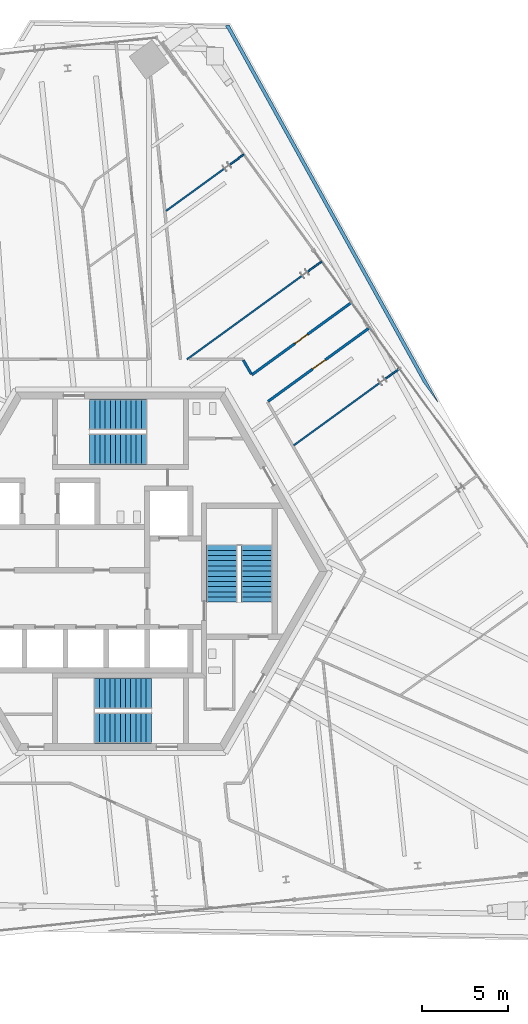
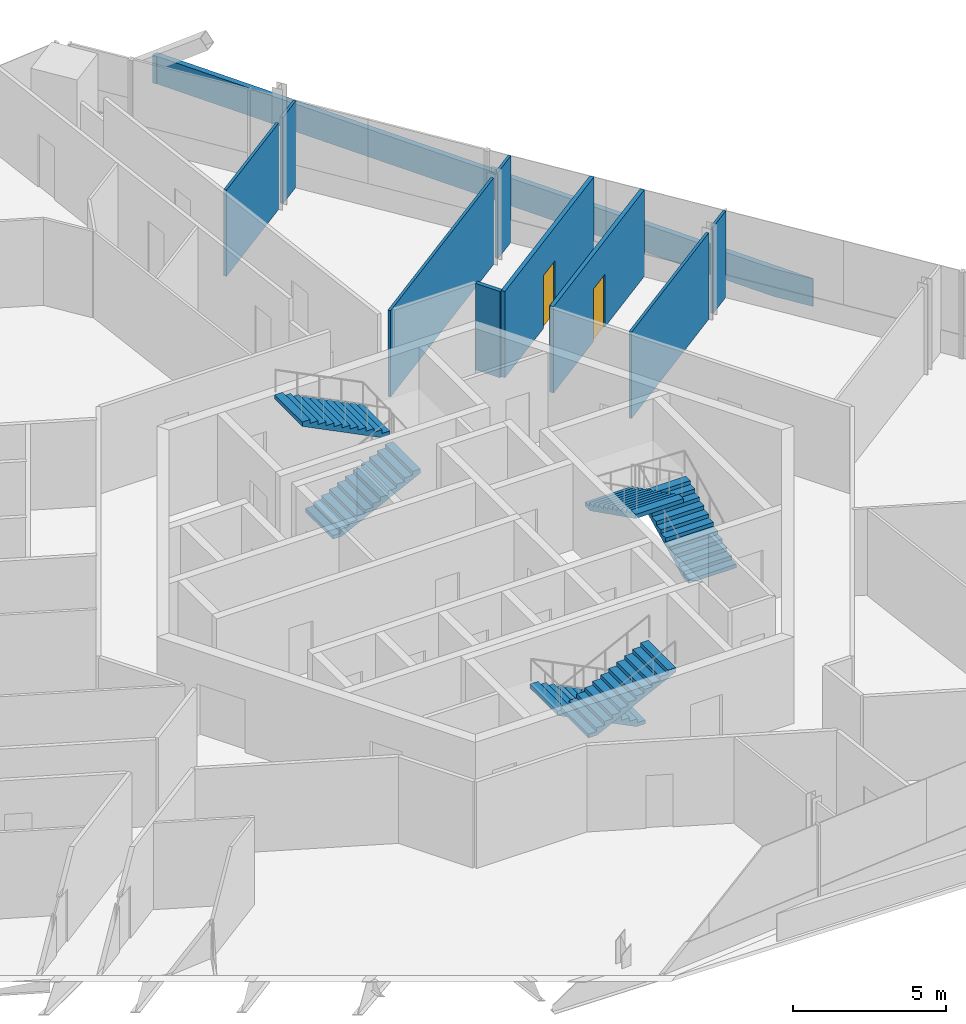
# One storey, part 17 of 21: 10 walls, 6 stair flights, 2 doors, 2 openings, 3 elements without a shape of their own.
"""IFC4 building model written with IfcOpenShell, lengths in metres."""

import ifcopenshell
import ifcopenshell.guid

model = None  # the IFC model being written
_history = None  # IfcOwnerHistory: only IFC2X3 demands one
_inside = {}  # id of a spatial element -> (the spatial element, [elements in it])
_under = {}  # id of a project, library or spatial element -> (it, [spatial elements below it])
_declared = {}  # id of a project -> (the project, [libraries it declares])
_typed = {}  # id of a type object -> (the type object, [elements of that type])
_made_of = {}  # id of a material, layer set ... -> (it, [elements and type objects made of it])


def new_model(schema):
    """Start an empty IFC model of exactly this schema.

    Asked for "IFC4X3", IfcOpenShell would pick the latest addendum, in which some entities
    have other attributes; the version numbers below select the first issue.
    IFC2X3 requires an IfcOwnerHistory on every rooted entity: one is made here for all.
    """
    global model, _history
    if schema == "IFC4X3":
        model = ifcopenshell.file(schema_version=(4, 3, 0, 0))
    else:
        model = ifcopenshell.file(schema=schema)
    _inside.clear()
    _under.clear()
    _declared.clear()
    _typed.clear()
    _made_of.clear()
    _history = None
    if model.schema == "IFC2X3":
        org = make("IfcOrganization", Name="unknown")
        user = make(
            "IfcPersonAndOrganization",
            ThePerson=make("IfcPerson", FamilyName="unknown"),
            TheOrganization=org,
        )
        app = make(
            "IfcApplication",
            ApplicationDeveloper=org,
            Version="unknown",
            ApplicationFullName="unknown",
            ApplicationIdentifier="unknown",
        )
        _history = make(
            "IfcOwnerHistory",
            OwningUser=user,
            OwningApplication=app,
            ChangeAction="ADDED",
            CreationDate=0,
        )
    return model


def make(cls, **values):
    """One entity of the class cls with the attributes given. An attribute that is None is left unset."""
    return model.create_entity(
        cls, **{name: value for name, value in values.items() if value is not None}
    )


def rooted(cls, **values):
    """An entity with a GlobalId (a new one), such as an element, a storey or a relation."""
    return make(cls, GlobalId=ifcopenshell.guid.new(), OwnerHistory=_history, **values)


def si_unit(unit_type, name, prefix=None):
    """IfcSIUnit, for example si_unit("LENGTHUNIT", "METRE", prefix="MILLI")."""
    return make("IfcSIUnit", UnitType=unit_type, Prefix=prefix, Name=name)


def assignment(units):
    """IfcUnitAssignment: the units of a project."""
    return None if units is None else make("IfcUnitAssignment", Units=units)


def point(xyz):
    """IfcCartesianPoint."""
    return None if xyz is None else make("IfcCartesianPoint", Coordinates=xyz)


def direction(xyz):
    """IfcDirection."""
    return None if xyz is None else make("IfcDirection", DirectionRatios=xyz)


def frame(location, z_axis=None, x_axis=None):
    """IfcAxis2Placement3D, a coordinate frame: its origin and axes. An axis left out is left unset."""
    return make(
        "IfcAxis2Placement3D",
        Location=point(location),
        Axis=direction(z_axis),
        RefDirection=direction(x_axis),
    )


def frame_2d(location, x_axis=None):
    """IfcAxis2Placement2D, a coordinate frame in the plane: its origin and x axis."""
    return make(
        "IfcAxis2Placement2D", Location=point(location), RefDirection=direction(x_axis)
    )


def origin():
    """The frame at (0, 0, 0) with its axes left unset."""
    return frame((0.0, 0.0, 0.0))


def place(relative_to, where):
    """IfcLocalPlacement: puts the frame where relative to a parent placement (None: the world)."""
    return make(
        "IfcLocalPlacement", PlacementRelTo=relative_to, RelativePlacement=where
    )


def context(
    kind, dimensions, precision=None, world=None, true_north=None, identifier=None
):
    """IfcGeometricRepresentationContext, for example the 3D "Model" context."""
    return make(
        "IfcGeometricRepresentationContext",
        ContextIdentifier=identifier,
        ContextType=kind,
        CoordinateSpaceDimension=dimensions,
        Precision=precision,
        WorldCoordinateSystem=world,
        TrueNorth=true_north,
    )


def subcontext(parent, identifier, kind, view, scale=None):
    """IfcGeometricRepresentationSubContext, for example "Body" below "Model"."""
    return make(
        "IfcGeometricRepresentationSubContext",
        ContextIdentifier=identifier,
        ContextType=kind,
        ParentContext=parent,
        TargetScale=scale,
        TargetView=view,
    )


def project(units=None, contexts=None):
    """IfcProject with its units and contexts."""
    return rooted(
        "IfcProject",
        Name="project",
        RepresentationContexts=contexts,
        UnitsInContext=assignment(units),
    )


def spatial(cls, under=None, at=None, **own):
    """A site, building, storey or space (cls), placed at a placement, below another one or the project."""
    s = rooted(cls, ObjectPlacement=at, **own)
    if under is not None:
        _under.setdefault(under.id(), (under, []))[1].append(s)
    return s


def polyline(points):
    """IfcPolyline through the points."""
    return make("IfcPolyline", Points=[point(p) for p in points])


def profile(cls, at=None, kind="AREA", **sizes):
    """A parametric profile (cls). Its sizes go by their IFC names, for example OverallWidth=200.0."""
    return make(cls, ProfileType=kind, Position=at, **sizes)


def rectangle(**sizes):
    """IfcRectangleProfileDef."""
    return profile("IfcRectangleProfileDef", **sizes)


def outline(outer, holes=None, kind="AREA"):
    """IfcArbitraryClosedProfileDef: a profile drawn as a closed curve; with holes, ...WithVoids."""
    if holes is None:
        return make("IfcArbitraryClosedProfileDef", ProfileType=kind, OuterCurve=outer)
    return make(
        "IfcArbitraryProfileDefWithVoids",
        ProfileType=kind,
        OuterCurve=outer,
        InnerCurves=holes,
    )


def extrude(swept, where, along, depth):
    """IfcExtrudedAreaSolid: the profile swept, set in the frame where, extruded along a direction by depth."""
    return make(
        "IfcExtrudedAreaSolid",
        SweptArea=swept,
        Position=where,
        ExtrudedDirection=direction(along),
        Depth=depth,
    )


def shape(context_of_items, identifier, shape_type, items):
    """IfcShapeRepresentation: the items that make up one representation, for example the "Body"."""
    return make(
        "IfcShapeRepresentation",
        ContextOfItems=context_of_items,
        RepresentationIdentifier=identifier,
        RepresentationType=shape_type,
        Items=items,
    )


def source(mapping_origin, context_of_items, identifier, shape_type, items):
    """IfcRepresentationMap: a shape defined once, which mapped items show again and again."""
    return make(
        "IfcRepresentationMap",
        MappingOrigin=mapping_origin,
        MappedRepresentation=shape(context_of_items, identifier, shape_type, items),
    )


def transform(
    local_origin,
    x_axis=None,
    y_axis=None,
    z_axis=None,
    scale=None,
    scale2=None,
    scale3=None,
    uniform=True,
):
    """IfcCartesianTransformationOperator3D, or its non-uniform kind. x_axis, y_axis, z_axis: its Axis1, 2, 3."""
    if uniform:
        return make(
            "IfcCartesianTransformationOperator3D",
            Axis1=direction(x_axis),
            Axis2=direction(y_axis),
            LocalOrigin=point(local_origin),
            Scale=scale,
            Axis3=direction(z_axis),
        )
    return make(
        "IfcCartesianTransformationOperator3DnonUniform",
        Axis1=direction(x_axis),
        Axis2=direction(y_axis),
        LocalOrigin=point(local_origin),
        Scale=scale,
        Axis3=direction(z_axis),
        Scale2=scale2,
        Scale3=scale3,
    )


def mapped(mapping_source, mapping_target):
    """IfcMappedItem: shows the shape of a source again, moved by a transform."""
    return make(
        "IfcMappedItem", MappingSource=mapping_source, MappingTarget=mapping_target
    )


def material(Name=None, Category=None):
    """IfcMaterial."""
    return make("IfcMaterial", Name=Name, Category=Category)


def layer(
    of_material, thickness, ventilated=None, Name=None, Category=None, Priority=None
):
    """IfcMaterialLayer: one layer of a wall or slab, of a material (None: an air gap)."""
    return make(
        "IfcMaterialLayer",
        Material=of_material,
        LayerThickness=thickness,
        IsVentilated=ventilated,
        Name=Name,
        Category=Category,
        Priority=Priority,
    )


def layer_set(layers, Name=None):
    """IfcMaterialLayerSet."""
    return make("IfcMaterialLayerSet", MaterialLayers=layers, LayerSetName=Name)


def made_of(thing, what):
    """Note that an element or type object is made of a material, layer set ...; save() writes the relation."""
    if what is not None:
        _made_of.setdefault(what.id(), (what, []))[1].append(thing)
    return thing


def type_object(cls, material=None, **own):
    """A type object (cls), such as IfcWallType, which elements share."""
    return made_of(rooted(cls, **own), material)


def element(
    cls,
    number,
    at=None,
    inside=None,
    cuts=None,
    type_object=None,
    material=None,
    context=None,
    identifier="Body",
    shape_type=None,
    held_by="IfcProductDefinitionShape",
    body=None,
    shapes=None,
    **own,
):
    """One element of the class cls, such as IfcWall. Its Tag is "e" and its number.

    at: its placement. inside: the storey or other place that contains it. cuts: it is an
    opening in that element (IfcRelVoidsElement). A single representation is given by context,
    identifier, shape_type and body (its items); several are given by shapes. held_by: the class
    of the entity that holds the representations. save() writes the other relations.
    """
    e = rooted(cls, Tag="e%d" % number, ObjectPlacement=at, **own)
    if body is not None:
        shapes = [shape(context, identifier, shape_type, body)]
    if shapes is not None:
        e.Representation = make(held_by, Representations=shapes)
    if inside is not None:
        _inside.setdefault(inside.id(), (inside, []))[1].append(e)
    if cuts is not None:
        rooted(
            "IfcRelVoidsElement", RelatingBuildingElement=cuts, RelatedOpeningElement=e
        )
    if type_object is not None:
        _typed.setdefault(type_object.id(), (type_object, []))[1].append(e)
    return made_of(e, material)


def fill(opening, filler):
    """IfcRelFillsElement: the door or window that sits in an opening."""
    return rooted(
        "IfcRelFillsElement",
        RelatingOpeningElement=opening,
        RelatedBuildingElement=filler,
    )


def aggregate(whole, parts):
    """IfcRelAggregates: a whole, such as a stair, and the parts it consists of."""
    return rooted("IfcRelAggregates", RelatingObject=whole, RelatedObjects=parts)


def save(model, path):
    """Write the relations noted so far, then the file.

    IfcRelAggregates (storeys below a building ...), IfcRelContainedInSpatialStructure (elements
    in a storey), IfcRelDefinesByType, IfcRelAssociatesMaterial and IfcRelDeclares: one each for
    every whole, place, type object, material and project.
    """
    for whole, parts in _under.values():
        aggregate(whole, parts)
    for where, things in _inside.values():
        rooted(
            "IfcRelContainedInSpatialStructure",
            RelatedElements=things,
            RelatingStructure=where,
        )
    for kind, things in _typed.values():
        rooted("IfcRelDefinesByType", RelatedObjects=things, RelatingType=kind)
    for what, things in _made_of.values():
        rooted("IfcRelAssociatesMaterial", RelatedObjects=things, RelatingMaterial=what)
    for by, libraries in _declared.values():
        rooted("IfcRelDeclares", RelatingContext=by, RelatedDefinitions=libraries)
    model.write(path)


model = new_model("IFC4")

# Units and contexts
model_context = context("Model", 3, precision=1e-05, world=origin(), true_north=direction((0.0, 1.0)))
body_context = subcontext(model_context, "Body", "Model", "MODEL_VIEW")
ifc_project = project(units=[si_unit("LENGTHUNIT", "METRE"), si_unit("AREAUNIT", "SQUARE_METRE"), si_unit("VOLUMEUNIT", "CUBIC_METRE"), si_unit("PLANEANGLEUNIT", "RADIAN"), si_unit("MASSUNIT", "GRAM", prefix="KILO")], contexts=[model_context])

# Site, building, storey
site_placement = place(None, origin())
site = spatial("IfcSite", under=ifc_project, at=site_placement, CompositionType="ELEMENT")
building_placement = place(site_placement, origin())
building = spatial("IfcBuilding", under=site, at=building_placement, Name="Triune Harvest Tower", CompositionType="ELEMENT")
storey_placement = place(building_placement, frame((0.0, 0.0, 219.699951171875)))
storey = spatial("IfcBuildingStorey", under=building, at=storey_placement, Name="L57", CompositionType="ELEMENT", Elevation=219.699951171875)

# Walls
ifc_material_1 = material(Name="Concrete 40 MPa", Category="concrete")
ifc_layer_1 = layer(ifc_material_1, 0.199951171875)
ifc_layer_set_1 = layer_set([ifc_layer_1], Name="Concrete 40 MPa")
wall_type_1 = type_object("IfcWallType", Name="PA-1 parapet 200", PredefinedType="PARAPET", material=ifc_layer_set_1)
wall_1_placement = place(storey_placement, origin())
element("IfcWall", 1, at=wall_1_placement, inside=storey, type_object=wall_type_1, Name="Parapet wedge L56 3.2", PredefinedType="PARAPET", context=body_context, shape_type="SweptSolid", body=[
    extrude(outline(polyline([(18.4189453125, 9.83349609375), (18.3955078125, 9.818603515625), (17.56494140625, 10.9619140625), (6.1904296875, 31.48193359375), (6.16748046875, 31.482421875), (6.089111328125, 31.623779296875), (6.194091796875, 31.681884765625), (6.309326171875, 31.6796875), (18.4189453125, 9.83349609375)])), origin(), (0.0, 0.0, 1.0), 1.10009765625),
])
ifc_material_2 = material(Name="Gypsum board on steel studs", Category="steel")
ifc_layer_2 = layer(ifc_material_2, 0.10009765625)
ifc_layer_set_2 = layer_set([ifc_layer_2], Name="Gypsum board on steel studs")
wall_type_2 = type_object("IfcWallType", Name="Partition 100 mm", PredefinedType="PARTITIONING", material=ifc_layer_set_2)
shared_shape_1 = source(origin(), body_context, "Body", "SweptSolid", [
    extrude(rectangle(XDim=4.189697265625, YDim=0.10009765625, at=frame_2d((2.0947265625, 0.0))), origin(), (0.0, 0.0, 1.0), 3.43994140625),
])
wall_2_placement = place(storey_placement, frame((2.646728515625, 20.90771484375, 0.0), z_axis=(0.0, 0.0, 1.0), x_axis=(0.809025763108, 0.587773182978, 0.0)))
element("IfcWall", 2, at=wall_2_placement, inside=storey, type_object=wall_type_2, Name="Partition L57 056", PredefinedType="PARTITIONING", context=body_context, shape_type="MappedRepresentation", body=[
    mapped(shared_shape_1, transform((0.0, 0.0, 0.0), scale=1.0)),
])
shared_shape_2 = source(origin(), body_context, "Body", "SweptSolid", [
    extrude(rectangle(XDim=1.0478515625, YDim=0.10009765625, at=frame_2d((0.52392578125, 0.0))), origin(), (0.0, 0.0, 1.0), 3.43994140625),
])
for number, where, z_axis, x_axis, name in (
    (3, (15.335205078125, 11.14208984375, 0.0), (0.0, 0.0, 1.0), (0.808967759712, 0.587853012025, 0.0), "Partition L57 047"),
    (4, (10.821533203125, 17.354736328125, 0.0), (0.0, 0.0, 1.0), (0.808967759712, 0.587853012025, 0.0), "Partition L57 054"),
    (5, (6.307861328125, 23.5673828125, 0.0), (0.0, 0.0, 1.0), (0.808967759712, 0.587853012025, 0.0), "Partition L57 057"),
):
    element("IfcWall", number, at=place(storey_placement, frame(where, z_axis=z_axis, x_axis=x_axis)), inside=storey, type_object=wall_type_2, Name=name, PredefinedType="PARTITIONING", context=body_context, shape_type="MappedRepresentation", body=[
        mapped(shared_shape_2, transform((0.0, 0.0, 0.0), scale=1.0)),
    ])
ifc_material_3 = material(Name="Gypsum board on steel studs", Category="steel")
ifc_layer_3 = layer(ifc_material_3, 0.14990234375)
ifc_layer_set_3 = layer_set([ifc_layer_3], Name="Gypsum board on steel studs")
wall_type_3 = type_object("IfcWallType", Name="Fire Partition 150 mm", PredefinedType="PARTITIONING", material=ifc_layer_set_3)
shared_shape_3 = source(origin(), body_context, "Body", "SweptSolid", [
    extrude(rectangle(XDim=0.92919921875, YDim=0.14990234375, at=frame_2d((0.464599609375, 0.0))), origin(), (0.0, 0.0, 1.0), 3.43994140625),
])
wall_3_placement = place(storey_placement, frame((7.12158203125, 12.249267578125, 0.0), z_axis=(0.0, 0.0, 1.0), x_axis=(0.500010545262, -0.866019315389, 0.0)))
element("IfcWall", 6, at=wall_3_placement, inside=storey, type_object=wall_type_3, Name="Partition L57 011", PredefinedType="PARTITIONING", context=body_context, shape_type="MappedRepresentation", body=[
    mapped(shared_shape_3, transform((0.0, 0.0, 0.0), scale=1.0)),
])
shared_shape_4 = source(origin(), body_context, "Body", "SweptSolid", [
    extrude(rectangle(XDim=8.277099609375, YDim=0.10009765625, at=frame_2d((4.138671875, 0.0))), origin(), (0.0, 0.0, 1.0), 3.43994140625),
])
wall_4_placement = place(storey_placement, frame((3.853759765625, 12.292236328125, 0.0), z_axis=(0.0, 0.0, 1.0), x_axis=(0.809011502535, 0.587792811088, 0.0)))
element("IfcWall", 7, at=wall_4_placement, inside=storey, type_object=wall_type_2, Name="Partition L57 053", PredefinedType="PARTITIONING", context=body_context, shape_type="MappedRepresentation", body=[
    mapped(shared_shape_4, transform((0.0, 0.0, 0.0), scale=1.0)),
])
shared_shape_5 = source(origin(), body_context, "Body", "SweptSolid", [
    extrude(rectangle(XDim=6.2001953125, YDim=0.10009765625, at=frame_2d((3.10009765625, 0.0))), origin(), (0.0, 0.0, 1.0), 3.43994140625),
])
wall_5_placement = place(storey_placement, frame((10.0478515625, 7.300537109375, 0.0), z_axis=(0.0, 0.0, 1.0), x_axis=(0.808994828155, 0.587815760267, 0.0)))
element("IfcWall", 8, at=wall_5_placement, inside=storey, type_object=wall_type_2, Name="Partition L57 046", PredefinedType="PARTITIONING", context=body_context, shape_type="MappedRepresentation", body=[
    mapped(shared_shape_5, transform((0.0, 0.0, 0.0), scale=1.0)),
])

# Wall, opening, door
shared_shape_6 = source(origin(), body_context, "Body", "SweptSolid", [
    extrude(rectangle(XDim=7.284423828125, YDim=0.14990234375, at=frame_2d((3.64208984375, 0.0))), origin(), (0.0, 0.0, 1.0), 3.43994140625),
])
wall_6_placement = place(storey_placement, frame((8.561767578125, 9.8544921875, 0.0), z_axis=(0.0, 0.0, 1.0), x_axis=(0.809017155079, 0.587785031102, 0.0)))
wall_6 = element("IfcWall", 9, at=wall_6_placement, inside=storey, type_object=wall_type_3, Name="Partition L57 049", PredefinedType="PARTITIONING", context=body_context, shape_type="MappedRepresentation", body=[
    mapped(shared_shape_6, transform((0.0, 0.0, 0.0), scale=1.0)),
])
opening_1_placement = place(wall_6_placement, frame((3.199951171875, 0.0, 0.0)))
opening_1 = element("IfcOpeningElement", 10, at=opening_1_placement, cuts=wall_6, Name="Opening L57-005", PredefinedType="OPENING", context=body_context, shape_type="SweptSolid", body=[
    extrude(rectangle(XDim=0.89990234375, YDim=2.10009765625, at=frame_2d((0.449951171875, 1.050048828125))), frame((0.0, 0.0849609375, 0.0), z_axis=(0.0, -1.0, 0.0), x_axis=(1.0, 0.0, 0.0)), (0.0, 0.0, 1.0), 0.169921875),
])
ifc_material_4 = material(Name="Timber and steel door set", Category="steel")
door_type = type_object("IfcDoorType", Name="Single leaf door FD30 left hand 900 x 2100", OperationType="SINGLE_SWING_LEFT", PredefinedType="DOOR", material=ifc_material_4)
door_1_placement = place(opening_1_placement, origin())
door_1 = element("IfcDoor", 11, at=door_1_placement, inside=storey, type_object=door_type, Name="Door L57-005 Office 57.05", OperationType="SINGLE_SWING_LEFT", OverallHeight=2.10009765625, OverallWidth=0.89990234375, PredefinedType="DOOR", context=body_context, shape_type="SweptSolid", body=[
    extrude(rectangle(XDim=0.89990234375, YDim=2.10009765625, at=frame_2d((0.449951171875, 1.050048828125))), frame((0.0, 0.02490234375, 0.0), z_axis=(0.0, -1.0, 0.0), x_axis=(1.0, 0.0, 0.0)), (0.0, 0.0, 1.0), 0.050048828125),
])
fill(opening_1, door_1)

shared_shape_7 = source(origin(), body_context, "Body", "SweptSolid", [
    extrude(rectangle(XDim=7.1455078125, YDim=0.14990234375, at=frame_2d((3.57275390625, 0.0))), origin(), (0.0, 0.0, 1.0), 3.43994140625),
])
wall_7_placement = place(storey_placement, frame((7.6162109375, 11.392578125, 0.0), z_axis=(0.0, 0.0, 1.0), x_axis=(0.809018196341, 0.587783597924, 0.0)))
wall_7 = element("IfcWall", 12, at=wall_7_placement, inside=storey, type_object=wall_type_3, Name="Partition L57 052", PredefinedType="PARTITIONING", context=body_context, shape_type="MappedRepresentation", body=[
    mapped(shared_shape_7, transform((0.0, 0.0, 0.0), scale=1.0)),
])
opening_2_placement = place(wall_7_placement, frame((3.095458984375, 0.0, 0.0)))
opening_2 = element("IfcOpeningElement", 13, at=opening_2_placement, cuts=wall_7, Name="Opening L57-004", PredefinedType="OPENING", context=body_context, shape_type="SweptSolid", body=[
    extrude(rectangle(XDim=0.89990234375, YDim=2.10009765625, at=frame_2d((0.449951171875, 1.050048828125))), frame((0.0, 0.0849609375, 0.0), z_axis=(0.0, -1.0, 0.0), x_axis=(1.0, 0.0, 0.0)), (0.0, 0.0, 1.0), 0.169921875),
])
door_2_placement = place(opening_2_placement, origin())
door_2 = element("IfcDoor", 14, at=door_2_placement, inside=storey, type_object=door_type, Name="Door L57-004 Meeting Room 57.04", OperationType="SINGLE_SWING_LEFT", OverallHeight=2.10009765625, OverallWidth=0.89990234375, PredefinedType="DOOR", context=body_context, shape_type="SweptSolid", body=[
    extrude(rectangle(XDim=0.89990234375, YDim=2.10009765625, at=frame_2d((0.449951171875, 1.050048828125))), frame((0.0, 0.02490234375, 0.0), z_axis=(0.0, -1.0, 0.0), x_axis=(1.0, 0.0, 0.0)), (0.0, 0.0, 1.0), 0.050048828125),
])
fill(opening_2, door_2)

# Stair, stair flights
ifc_material_5 = material(Name="Concrete 40 MPa", Category="concrete")
stair_type = type_object("IfcStairType", Name="Exit stair 1800 half turn", PredefinedType="HALF_TURN_STAIR", material=ifc_material_5)
stair_1_placement = place(storey_placement, origin())
stair_1 = element("IfcStair", 15, at=stair_1_placement, inside=storey, type_object=stair_type, Name="Exit stair north", PredefinedType="HALF_TURN_STAIR")
ifc_material_6 = material(Name="Concrete 40 MPa", Category="concrete")
stair_flight_type = type_object("IfcStairFlightType", Name="Stair flight 1800", PredefinedType="STRAIGHT", material=ifc_material_6)
shared_shape_8 = source(origin(), body_context, "Body", "SweptSolid", [
    extrude(outline(polyline([(0.0, 0.0), (0.0, 0.14990234375), (0.300048828125, 0.14990234375), (0.300048828125, 0.300048828125), (0.60009765625, 0.300048828125), (0.60009765625, 0.449951171875), (0.89990234375, 0.449951171875), (0.89990234375, 0.60009765625), (1.199951171875, 0.60009765625), (1.199951171875, 0.75), (1.5, 0.75), (1.5, 0.89990234375), (1.800048828125, 0.89990234375), (1.800048828125, 1.050048828125), (2.10009765625, 1.050048828125), (2.10009765625, 1.199951171875), (2.39990234375, 1.199951171875), (2.39990234375, 1.35009765625), (2.699951171875, 1.35009765625), (2.699951171875, 1.5), (3.0, 1.5), (3.0, 1.64990234375), (3.300048828125, 1.64990234375), (3.300048828125, 1.800048828125), (3.300048828125, 1.482421875), (0.335205078125, 0.0), (0.0, 0.0)])), frame((0.0, 0.89990234375, 0.0), z_axis=(0.0, -1.0, 0.0), x_axis=(1.0, 0.0, 0.0)), (0.0, 0.0, 1.0), 1.800048828125),
])
stair_flight_1_placement = place(storey_placement, frame((-1.7900390625, 7.090087890625, 0.0), z_axis=(0.0, 0.0, 1.0), x_axis=(1.0, 0.0, 0.0)))
stair_flight_1 = element("IfcStairFlight", 16, at=stair_flight_1_placement, type_object=stair_flight_type, Name="ST-1 flight 1", NumberOfRisers=12, NumberOfTreads=11, PredefinedType="STRAIGHT", RiserHeight=0.15, TreadLength=0.3, context=body_context, shape_type="MappedRepresentation", body=[
    mapped(shared_shape_8, transform((0.0, 0.0, 0.0), scale=1.0)),
])
stair_flight_2_placement = place(storey_placement, frame((1.510009765625, 9.090087890625, 1.800048828125), z_axis=(0.0, 0.0, 1.0), x_axis=(-1.0, 0.0, 0.0)))
stair_flight_2 = element("IfcStairFlight", 17, at=stair_flight_2_placement, type_object=stair_flight_type, Name="ST-1 flight 2", NumberOfRisers=12, NumberOfTreads=11, PredefinedType="STRAIGHT", RiserHeight=0.15, TreadLength=0.3, context=body_context, shape_type="MappedRepresentation", body=[
    mapped(shared_shape_8, transform((0.0, 0.0, 0.0), scale=1.0)),
])
aggregate(stair_1, [stair_flight_1, stair_flight_2])

stair_2_placement = place(storey_placement, origin())
stair_2 = element("IfcStair", 18, at=stair_2_placement, inside=storey, type_object=stair_type, Name="Exit stair south", PredefinedType="HALF_TURN_STAIR")
stair_flight_3_placement = place(storey_placement, frame((1.7900390625, -7.090087890625, 0.0), z_axis=(0.0, 0.0, 1.0), x_axis=(-1.0, 0.0, 0.0)))
stair_flight_3 = element("IfcStairFlight", 19, at=stair_flight_3_placement, type_object=stair_flight_type, Name="ST-2 flight 1", NumberOfRisers=12, NumberOfTreads=11, PredefinedType="STRAIGHT", RiserHeight=0.15, TreadLength=0.3, context=body_context, shape_type="MappedRepresentation", body=[
    mapped(shared_shape_8, transform((0.0, 0.0, 0.0), scale=1.0)),
])
stair_flight_4_placement = place(storey_placement, frame((-1.510009765625, -9.090087890625, 1.800048828125), z_axis=(0.0, 0.0, 1.0), x_axis=(1.0, 0.0, 0.0)))
stair_flight_4 = element("IfcStairFlight", 20, at=stair_flight_4_placement, type_object=stair_flight_type, Name="ST-2 flight 2", NumberOfRisers=12, NumberOfTreads=11, PredefinedType="STRAIGHT", RiserHeight=0.15, TreadLength=0.3, context=body_context, shape_type="MappedRepresentation", body=[
    mapped(shared_shape_8, transform((0.0, 0.0, 0.0), scale=1.0)),
])
aggregate(stair_2, [stair_flight_3, stair_flight_4])

stair_3_placement = place(storey_placement, origin())
stair_3 = element("IfcStair", 21, at=stair_3_placement, inside=storey, type_object=stair_type, Name="Exit stair east", PredefinedType="HALF_TURN_STAIR")
stair_flight_5_placement = place(storey_placement, frame((7.89990234375, -1.7900390625, 0.0), z_axis=(0.0, 0.0, 1.0), x_axis=(0.0, 1.0, 0.0)))
stair_flight_5 = element("IfcStairFlight", 22, at=stair_flight_5_placement, type_object=stair_flight_type, Name="ST-3 flight 1", NumberOfRisers=12, NumberOfTreads=11, PredefinedType="STRAIGHT", RiserHeight=0.15, TreadLength=0.3, context=body_context, shape_type="MappedRepresentation", body=[
    mapped(shared_shape_8, transform((0.0, 0.0, 0.0), scale=1.0)),
])
stair_flight_6_placement = place(storey_placement, frame((5.89990234375, 1.510009765625, 1.800048828125), z_axis=(0.0, 0.0, 1.0), x_axis=(0.0, -1.0, 0.0)))
stair_flight_6 = element("IfcStairFlight", 23, at=stair_flight_6_placement, type_object=stair_flight_type, Name="ST-3 flight 2", NumberOfRisers=12, NumberOfTreads=11, PredefinedType="STRAIGHT", RiserHeight=0.15, TreadLength=0.3, context=body_context, shape_type="MappedRepresentation", body=[
    mapped(shared_shape_8, transform((0.0, 0.0, 0.0), scale=1.0)),
])
aggregate(stair_3, [stair_flight_5, stair_flight_6])

save(model, "model.ifc")
